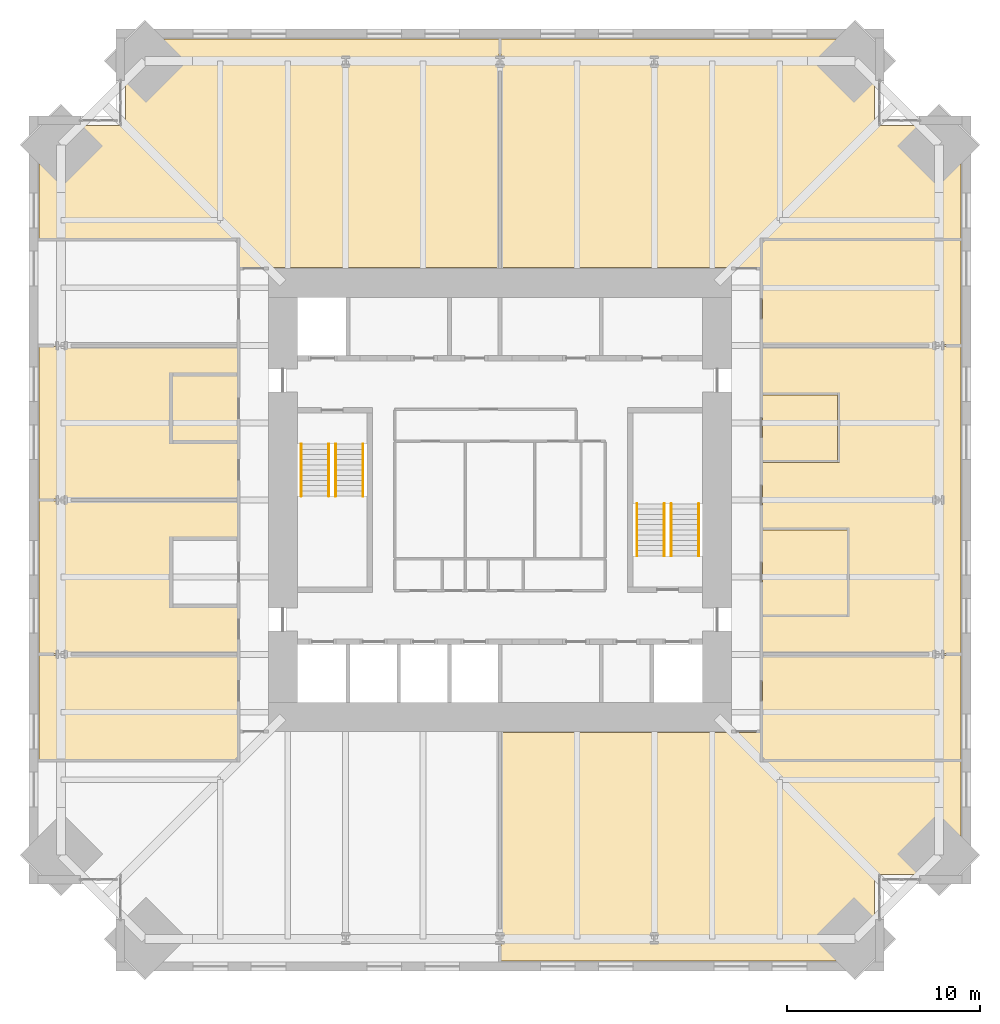
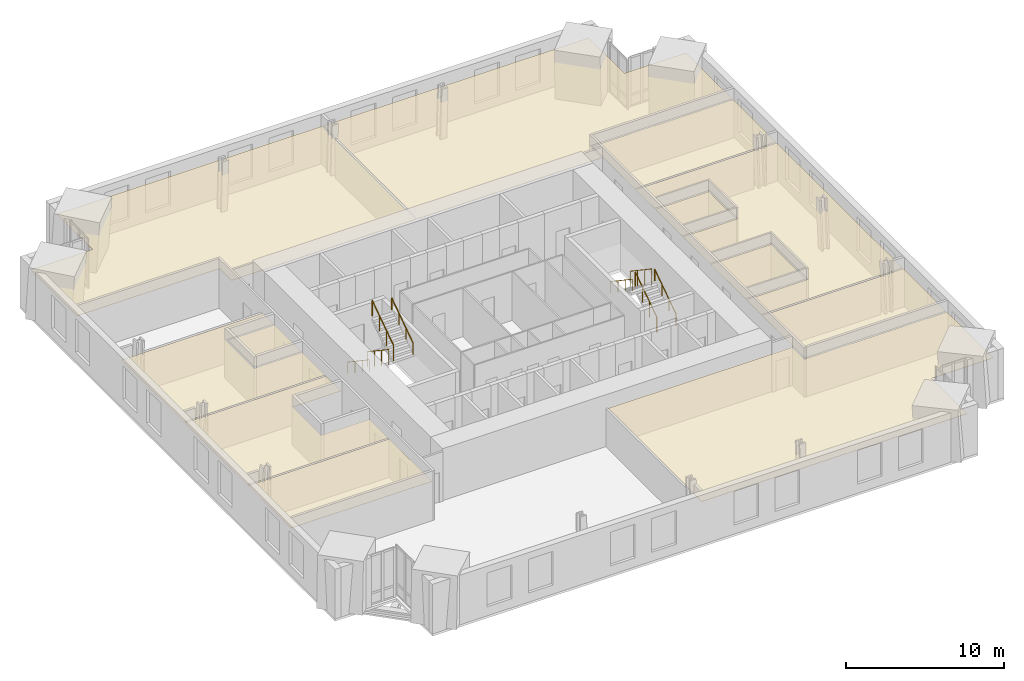
# One storey, part 15 of 15: 12 coverings, 8 railings.
"""IFC4 building model written with IfcOpenShell, lengths in metres."""

from ifc_helpers import new_model, si_unit, direction, frame, origin, origin_2d, place, context, subcontext, project, spatial, polyline, circle, outline, extrude, material, layer, layer_set, type_object, element, save


model = new_model("IFC4")

# Units and contexts
model_context = context("Model", 3, precision=1e-05, world=origin(), true_north=direction((0.0, 1.0)))
body_context = subcontext(model_context, "Body", "Model", "MODEL_VIEW")
ifc_project = project(units=[si_unit("LENGTHUNIT", "METRE"), si_unit("AREAUNIT", "SQUARE_METRE"), si_unit("VOLUMEUNIT", "CUBIC_METRE"), si_unit("PLANEANGLEUNIT", "RADIAN"), si_unit("MASSUNIT", "GRAM", prefix="KILO")], contexts=[model_context])

# Site, building, storey
site_placement = place(None, origin())
site = spatial("IfcSite", under=ifc_project, at=site_placement, CompositionType="ELEMENT")
building_placement = place(site_placement, origin())
building = spatial("IfcBuilding", under=site, at=building_placement, Name="Peilmerk Tower", CompositionType="ELEMENT")
storey_placement = place(building_placement, frame((0.0, 0.0, 201.800048828125)))
storey = spatial("IfcBuildingStorey", under=building, at=storey_placement, Name="L43", CompositionType="ELEMENT", Elevation=201.800048828125)

# Coverings
ifc_material_1 = material(Name="Mineral fibre ceiling tiles", Category="mineral")
ifc_layer = layer(ifc_material_1, 0.02490234375)
ifc_layer_set = layer_set([ifc_layer], Name="Mineral fibre ceiling tiles")
covering_type = type_object("IfcCoveringType", Name="CL1 25 suspended ceiling", PredefinedType="CEILING", material=ifc_layer_set)
covering_1_placement = place(storey_placement, frame((0.0, 0.0, 2.905029296875)))
element("IfcCovering", 1, at=covering_1_placement, inside=storey, type_object=covering_type, Name="Suspended ceiling Engineering office", PredefinedType="CEILING", context=body_context, shape_type="SweptSolid", body=[
    extrude(outline(polyline([(-23.89990234375, 19.39990234375), (-23.89990234375, 13.550048828125), (-13.5, 13.550048828125), (-13.5, 12.050048828125), (-0.050048828125, 12.050048828125), (-0.050048828125, 23.89990234375), (-19.39990234375, 23.89990234375), (-19.39990234375, 19.39990234375), (-23.89990234375, 19.39990234375)])), origin(), (0.0, 0.0, 1.0), 0.02490234375),
])
covering_2_placement = place(storey_placement, frame((0.0, 0.0, 2.905029296875)))
element("IfcCovering", 2, at=covering_2_placement, inside=storey, type_object=covering_type, Name="Suspended ceiling Hardware lab", PredefinedType="CEILING", context=body_context, shape_type="SweptSolid", body=[
    extrude(outline(polyline([(19.39990234375, 23.89990234375), (0.050048828125, 23.89990234375), (0.050048828125, 12.050048828125), (13.5, 12.050048828125), (13.5, 13.550048828125), (23.89990234375, 13.550048828125), (23.89990234375, 19.39990234375), (19.39990234375, 19.39990234375), (19.39990234375, 23.89990234375)])), origin(), (0.0, 0.0, 1.0), 0.02490234375),
])
covering_3_placement = place(storey_placement, frame((0.0, 0.0, 2.905029296875)))
element("IfcCovering", 3, at=covering_3_placement, inside=storey, type_object=covering_type, Name="Suspended ceiling Engineering office", PredefinedType="CEILING", context=body_context, shape_type="SweptSolid", body=[
    extrude(outline(polyline([(0.050048828125, -23.89990234375), (19.39990234375, -23.89990234375), (19.39990234375, -19.39990234375), (23.89990234375, -19.39990234375), (23.89990234375, -13.550048828125), (13.5, -13.550048828125), (13.5, -12.050048828125), (0.050048828125, -12.050048828125), (0.050048828125, -23.89990234375)])), origin(), (0.0, 0.0, 1.0), 0.02490234375),
])
covering_4_placement = place(storey_placement, frame((0.0, 0.0, 2.905029296875)))
element("IfcCovering", 4, at=covering_4_placement, inside=storey, type_object=covering_type, Name="Suspended ceiling Engineering office", PredefinedType="CEILING", context=body_context, shape_type="SweptSolid", body=[
    extrude(outline(polyline([(23.89990234375, -13.449951171875), (23.89990234375, -8.050048828125), (13.60009765625, -8.050048828125), (13.60009765625, -13.449951171875), (23.89990234375, -13.449951171875)])), origin(), (0.0, 0.0, 1.0), 0.02490234375),
])
covering_5_placement = place(storey_placement, frame((0.0, 0.0, 2.905029296875)))
element("IfcCovering", 5, at=covering_5_placement, inside=storey, type_object=covering_type, Name="Suspended ceiling Network monitoring room", PredefinedType="CEILING", context=body_context, shape_type="SweptSolid", body=[
    extrude(outline(polyline([(13.60009765625, -7.949951171875), (23.89990234375, -7.949951171875), (23.89990234375, 7.949951171875), (13.60009765625, 7.949951171875), (13.60009765625, 5.550048828125), (17.60009765625, 5.550048828125), (17.60009765625, 1.949951171875), (13.60009765625, 1.949951171875), (13.60009765625, -1.449951171875), (18.10009765625, -1.449951171875), (18.10009765625, -6.050048828125), (13.60009765625, -6.050048828125), (13.60009765625, -7.949951171875)])), origin(), (0.0, 0.0, 1.0), 0.02490234375),
])
covering_6_placement = place(storey_placement, frame((0.0, 0.0, 2.905029296875)))
element("IfcCovering", 6, at=covering_6_placement, inside=storey, type_object=covering_type, Name="Suspended ceiling Engineering office", PredefinedType="CEILING", context=body_context, shape_type="SweptSolid", body=[
    extrude(outline(polyline([(23.89990234375, 8.050048828125), (23.89990234375, 13.449951171875), (13.60009765625, 13.449951171875), (13.60009765625, 8.050048828125), (23.89990234375, 8.050048828125)])), origin(), (0.0, 0.0, 1.0), 0.02490234375),
])
covering_7_placement = place(storey_placement, frame((0.0, 0.0, 2.905029296875)))
element("IfcCovering", 7, at=covering_7_placement, inside=storey, type_object=covering_type, Name="Suspended ceiling Meeting room", PredefinedType="CEILING", context=body_context, shape_type="SweptSolid", body=[
    extrude(outline(polyline([(18.0, -5.949951171875), (18.0, -1.550048828125), (13.60009765625, -1.550048828125), (13.60009765625, -5.949951171875), (18.0, -5.949951171875)])), origin(), (0.0, 0.0, 1.0), 0.02490234375),
])
covering_8_placement = place(storey_placement, frame((0.0, 0.0, 2.905029296875)))
element("IfcCovering", 8, at=covering_8_placement, inside=storey, type_object=covering_type, Name="Suspended ceiling Pantry", PredefinedType="CEILING", context=body_context, shape_type="SweptSolid", body=[
    extrude(outline(polyline([(17.5, 2.050048828125), (17.5, 5.449951171875), (13.60009765625, 5.449951171875), (13.60009765625, 2.050048828125), (17.5, 2.050048828125)])), origin(), (0.0, 0.0, 1.0), 0.02490234375),
])
covering_9_placement = place(storey_placement, frame((0.0, 0.0, 2.905029296875)))
element("IfcCovering", 9, at=covering_9_placement, inside=storey, type_object=covering_type, Name="Suspended ceiling Engineering office", PredefinedType="CEILING", context=body_context, shape_type="SweptSolid", body=[
    extrude(outline(polyline([(-23.89990234375, -8.050048828125), (-23.89990234375, -13.449951171875), (-13.60009765625, -13.449951171875), (-13.60009765625, -8.050048828125), (-23.89990234375, -8.050048828125)])), origin(), (0.0, 0.0, 1.0), 0.02490234375),
])
covering_10_placement = place(storey_placement, frame((0.0, 0.0, 2.905029296875)))
element("IfcCovering", 10, at=covering_10_placement, inside=storey, type_object=covering_type, Name="Suspended ceiling Engineering office", PredefinedType="CEILING", context=body_context, shape_type="SweptSolid", body=[
    extrude(outline(polyline([(-13.60009765625, -0.050048828125), (-23.89990234375, -0.050048828125), (-23.89990234375, -7.949951171875), (-13.60009765625, -7.949951171875), (-13.60009765625, -5.550048828125), (-17.10009765625, -5.550048828125), (-17.10009765625, -1.949951171875), (-13.60009765625, -1.949951171875), (-13.60009765625, -0.050048828125)])), origin(), (0.0, 0.0, 1.0), 0.02490234375),
])
covering_11_placement = place(storey_placement, frame((0.0, 0.0, 2.905029296875)))
element("IfcCovering", 11, at=covering_11_placement, inside=storey, type_object=covering_type, Name="Suspended ceiling Engineering office", PredefinedType="CEILING", context=body_context, shape_type="SweptSolid", body=[
    extrude(outline(polyline([(-13.60009765625, 7.949951171875), (-23.89990234375, 7.949951171875), (-23.89990234375, 0.050048828125), (-13.60009765625, 0.050048828125), (-13.60009765625, 2.949951171875), (-17.10009765625, 2.949951171875), (-17.10009765625, 6.550048828125), (-13.60009765625, 6.550048828125), (-13.60009765625, 7.949951171875)])), origin(), (0.0, 0.0, 1.0), 0.02490234375),
])
covering_12_placement = place(storey_placement, frame((0.0, 0.0, 2.905029296875)))
element("IfcCovering", 12, at=covering_12_placement, inside=storey, type_object=covering_type, Name="Suspended ceiling Calibration lab", PredefinedType="CEILING", context=body_context, shape_type="SweptSolid", body=[
    extrude(outline(polyline([(-13.60009765625, 3.050048828125), (-13.60009765625, 6.449951171875), (-17.0, 6.449951171875), (-17.0, 3.050048828125), (-13.60009765625, 3.050048828125)])), origin(), (0.0, 0.0, 1.0), 0.02490234375),
])

# Railings
ifc_material_2 = material(Name="Steel flat bar balustrade", Category="steel")
railing_type_1 = type_object("IfcRailingType", Name="GR1 1200 stair guard", PredefinedType="GUARDRAIL", material=ifc_material_2)
railing_1_placement = place(storey_placement, frame((-8.8798828125, 2.89990234375, 0.181884765625)))
element("IfcRailing", 13, at=railing_1_placement, inside=storey, type_object=railing_type_1, Name="Guard stair 1 L43", PredefinedType="GUARDRAIL", context=body_context, shape_type="SweptSolid", body=[
    extrude(circle(Radius=0.02392578125, at=origin_2d()), frame((0.0, 0.0, 1.17578125), z_axis=(0.0, -0.829468130872, 0.55855404382), x_axis=(1.0, 0.0, 0.0)), (0.0, 0.0, 1.0), 3.255126953125),
    extrude(circle(Radius=0.02099609375, at=origin_2d()), origin(), (0.0, 0.0, 1.0), 1.15185546875),
    extrude(circle(Radius=0.02099609375, at=origin_2d()), frame((0.0, -0.89990234375, 0.60595703125)), (0.0, 0.0, 1.0), 1.15185546875),
    extrude(circle(Radius=0.02099609375, at=origin_2d()), frame((0.0, -1.800048828125, 1.212158203125)), (0.0, 0.0, 1.0), 1.15185546875),
    extrude(circle(Radius=0.02099609375, at=origin_2d()), frame((0.0, -2.699951171875, 1.818115234375)), (0.0, 0.0, 1.0), 1.15185546875),
])
for number, where, name in (
    (14, (-8.52001953125, 0.199951171875, 2.181884765625), "Guard stair 1 L43"),
    (15, (8.8798828125, -2.89990234375, 0.181884765625), "Guard stair 2 L43"),
):
    element("IfcRailing", number, at=place(storey_placement, frame(where)), inside=storey, type_object=railing_type_1, Name=name, PredefinedType="GUARDRAIL", context=body_context, shape_type="SweptSolid", body=[
        extrude(circle(Radius=0.02392578125, at=origin_2d()), frame((0.0, 0.0, 1.17578125), z_axis=(0.0, 0.829468130872, 0.55855404382), x_axis=(-1.0, 0.0, 0.0)), (0.0, 0.0, 1.0), 3.255126953125),
        extrude(circle(Radius=0.02099609375, at=origin_2d()), origin(), (0.0, 0.0, 1.0), 1.15185546875),
        extrude(circle(Radius=0.02099609375, at=origin_2d()), frame((0.0, 0.89990234375, 0.60595703125)), (0.0, 0.0, 1.0), 1.15185546875),
        extrude(circle(Radius=0.02099609375, at=origin_2d()), frame((0.0, 1.800048828125, 1.212158203125)), (0.0, 0.0, 1.0), 1.15185546875),
        extrude(circle(Radius=0.02099609375, at=origin_2d()), frame((0.0, 2.699951171875, 1.818115234375)), (0.0, 0.0, 1.0), 1.15185546875),
    ])
railing_2_placement = place(storey_placement, frame((8.52001953125, -0.199951171875, 2.181884765625)))
element("IfcRailing", 16, at=railing_2_placement, inside=storey, type_object=railing_type_1, Name="Guard stair 2 L43", PredefinedType="GUARDRAIL", context=body_context, shape_type="SweptSolid", body=[
    extrude(circle(Radius=0.02392578125, at=origin_2d()), frame((0.0, 0.0, 1.17578125), z_axis=(0.0, -0.829468130872, 0.55855404382), x_axis=(1.0, 0.0, 0.0)), (0.0, 0.0, 1.0), 3.255126953125),
    extrude(circle(Radius=0.02099609375, at=origin_2d()), origin(), (0.0, 0.0, 1.0), 1.15185546875),
    extrude(circle(Radius=0.02099609375, at=origin_2d()), frame((0.0, -0.89990234375, 0.60595703125)), (0.0, 0.0, 1.0), 1.15185546875),
    extrude(circle(Radius=0.02099609375, at=origin_2d()), frame((0.0, -1.800048828125, 1.212158203125)), (0.0, 0.0, 1.0), 1.15185546875),
    extrude(circle(Radius=0.02099609375, at=origin_2d()), frame((0.0, -2.699951171875, 1.818115234375)), (0.0, 0.0, 1.0), 1.15185546875),
])
ifc_material_3 = material(Name="Stainless steel tube", Category="steel")
railing_type_2 = type_object("IfcRailingType", Name="HR1 900 stair handrail", PredefinedType="HANDRAIL", material=ifc_material_3)
railing_3_placement = place(storey_placement, frame((-10.300048828125, 2.89990234375, 0.181884765625)))
element("IfcRailing", 17, at=railing_3_placement, inside=storey, type_object=railing_type_2, Name="Handrail stair 1 L43", PredefinedType="HANDRAIL", context=body_context, shape_type="SweptSolid", body=[
    extrude(circle(Radius=0.02392578125, at=origin_2d()), frame((0.0, 0.0, 0.8759765625), z_axis=(0.0, -0.829468130872, 0.55855404382), x_axis=(1.0, 0.0, 0.0)), (0.0, 0.0, 1.0), 3.255126953125),
    extrude(circle(Radius=0.02099609375, at=origin_2d()), origin(), (0.0, 0.0, 1.0), 0.851806640625),
    extrude(circle(Radius=0.02099609375, at=origin_2d()), frame((0.0, -0.89990234375, 0.60595703125)), (0.0, 0.0, 1.0), 0.851806640625),
    extrude(circle(Radius=0.02099609375, at=origin_2d()), frame((0.0, -1.800048828125, 1.212158203125)), (0.0, 0.0, 1.0), 0.851806640625),
    extrude(circle(Radius=0.02099609375, at=origin_2d()), frame((0.0, -2.699951171875, 1.818115234375)), (0.0, 0.0, 1.0), 0.851806640625),
])
for number, where, name in (
    (18, (-7.10009765625, 0.199951171875, 2.181884765625), "Handrail stair 1 L43"),
    (19, (10.300048828125, -2.89990234375, 0.181884765625), "Handrail stair 2 L43"),
):
    element("IfcRailing", number, at=place(storey_placement, frame(where)), inside=storey, type_object=railing_type_2, Name=name, PredefinedType="HANDRAIL", context=body_context, shape_type="SweptSolid", body=[
        extrude(circle(Radius=0.02392578125, at=origin_2d()), frame((0.0, 0.0, 0.8759765625), z_axis=(0.0, 0.829468130872, 0.55855404382), x_axis=(-1.0, 0.0, 0.0)), (0.0, 0.0, 1.0), 3.255126953125),
        extrude(circle(Radius=0.02099609375, at=origin_2d()), origin(), (0.0, 0.0, 1.0), 0.851806640625),
        extrude(circle(Radius=0.02099609375, at=origin_2d()), frame((0.0, 0.89990234375, 0.60595703125)), (0.0, 0.0, 1.0), 0.851806640625),
        extrude(circle(Radius=0.02099609375, at=origin_2d()), frame((0.0, 1.800048828125, 1.212158203125)), (0.0, 0.0, 1.0), 0.851806640625),
        extrude(circle(Radius=0.02099609375, at=origin_2d()), frame((0.0, 2.699951171875, 1.818115234375)), (0.0, 0.0, 1.0), 0.851806640625),
    ])
railing_4_placement = place(storey_placement, frame((7.10009765625, -0.199951171875, 2.181884765625)))
element("IfcRailing", 20, at=railing_4_placement, inside=storey, type_object=railing_type_2, Name="Handrail stair 2 L43", PredefinedType="HANDRAIL", context=body_context, shape_type="SweptSolid", body=[
    extrude(circle(Radius=0.02392578125, at=origin_2d()), frame((0.0, 0.0, 0.8759765625), z_axis=(0.0, -0.829468130872, 0.55855404382), x_axis=(1.0, 0.0, 0.0)), (0.0, 0.0, 1.0), 3.255126953125),
    extrude(circle(Radius=0.02099609375, at=origin_2d()), origin(), (0.0, 0.0, 1.0), 0.851806640625),
    extrude(circle(Radius=0.02099609375, at=origin_2d()), frame((0.0, -0.89990234375, 0.60595703125)), (0.0, 0.0, 1.0), 0.851806640625),
    extrude(circle(Radius=0.02099609375, at=origin_2d()), frame((0.0, -1.800048828125, 1.212158203125)), (0.0, 0.0, 1.0), 0.851806640625),
    extrude(circle(Radius=0.02099609375, at=origin_2d()), frame((0.0, -2.699951171875, 1.818115234375)), (0.0, 0.0, 1.0), 0.851806640625),
])

save(model, "model.ifc")
